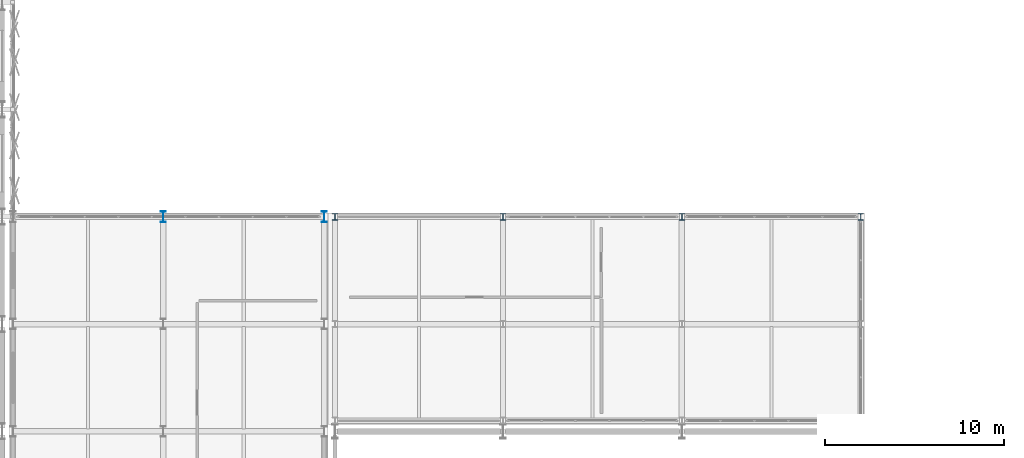
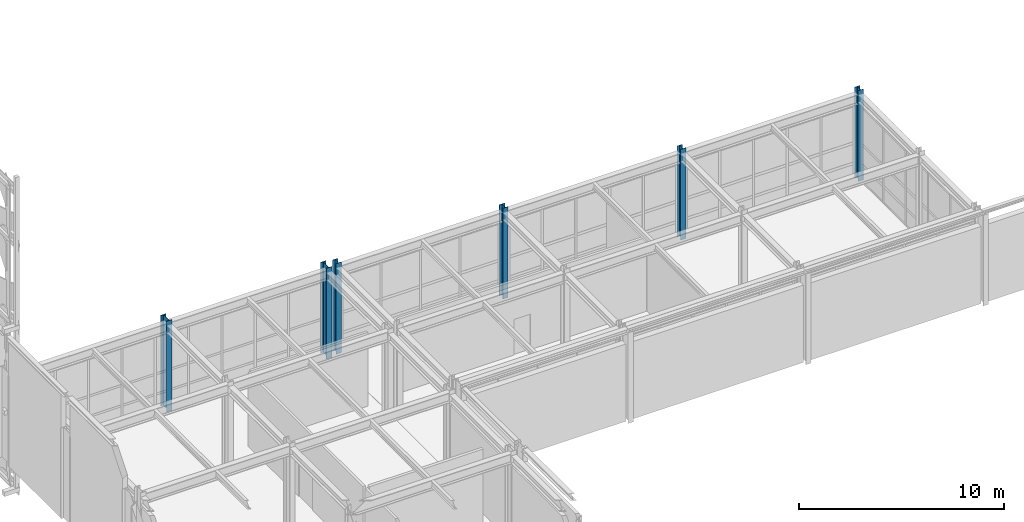
# One storey, part 19 of 210: 6 columns.
"""IFC4 building model written with IfcOpenShell, lengths in metres."""

import ifcopenshell
import ifcopenshell.guid

model = None  # the IFC model being written
_history = None  # IfcOwnerHistory: only IFC2X3 demands one
_inside = {}  # id of a spatial element -> (the spatial element, [elements in it])
_under = {}  # id of a project, library or spatial element -> (it, [spatial elements below it])
_declared = {}  # id of a project -> (the project, [libraries it declares])
_typed = {}  # id of a type object -> (the type object, [elements of that type])
_made_of = {}  # id of a material, layer set ... -> (it, [elements and type objects made of it])


def new_model(schema):
    """Start an empty IFC model of exactly this schema.

    Asked for "IFC4X3", IfcOpenShell would pick the latest addendum, in which some entities
    have other attributes; the version numbers below select the first issue.
    IFC2X3 requires an IfcOwnerHistory on every rooted entity: one is made here for all.
    """
    global model, _history
    if schema == "IFC4X3":
        model = ifcopenshell.file(schema_version=(4, 3, 0, 0))
    else:
        model = ifcopenshell.file(schema=schema)
    _inside.clear()
    _under.clear()
    _declared.clear()
    _typed.clear()
    _made_of.clear()
    _history = None
    if model.schema == "IFC2X3":
        org = make("IfcOrganization", Name="unknown")
        user = make(
            "IfcPersonAndOrganization",
            ThePerson=make("IfcPerson", FamilyName="unknown"),
            TheOrganization=org,
        )
        app = make(
            "IfcApplication",
            ApplicationDeveloper=org,
            Version="unknown",
            ApplicationFullName="unknown",
            ApplicationIdentifier="unknown",
        )
        _history = make(
            "IfcOwnerHistory",
            OwningUser=user,
            OwningApplication=app,
            ChangeAction="ADDED",
            CreationDate=0,
        )
    return model


def make(cls, **values):
    """One entity of the class cls with the attributes given. An attribute that is None is left unset."""
    return model.create_entity(
        cls, **{name: value for name, value in values.items() if value is not None}
    )


def rooted(cls, **values):
    """An entity with a GlobalId (a new one), such as an element, a storey or a relation."""
    return make(cls, GlobalId=ifcopenshell.guid.new(), OwnerHistory=_history, **values)


def si_unit(unit_type, name, prefix=None):
    """IfcSIUnit, for example si_unit("LENGTHUNIT", "METRE", prefix="MILLI")."""
    return make("IfcSIUnit", UnitType=unit_type, Prefix=prefix, Name=name)


def assignment(units):
    """IfcUnitAssignment: the units of a project."""
    return None if units is None else make("IfcUnitAssignment", Units=units)


def point(xyz):
    """IfcCartesianPoint."""
    return None if xyz is None else make("IfcCartesianPoint", Coordinates=xyz)


def direction(xyz):
    """IfcDirection."""
    return None if xyz is None else make("IfcDirection", DirectionRatios=xyz)


def frame(location, z_axis=None, x_axis=None):
    """IfcAxis2Placement3D, a coordinate frame: its origin and axes. An axis left out is left unset."""
    return make(
        "IfcAxis2Placement3D",
        Location=point(location),
        Axis=direction(z_axis),
        RefDirection=direction(x_axis),
    )


def frame_2d(location, x_axis=None):
    """IfcAxis2Placement2D, a coordinate frame in the plane: its origin and x axis."""
    return make(
        "IfcAxis2Placement2D", Location=point(location), RefDirection=direction(x_axis)
    )


def origin():
    """The frame at (0, 0, 0) with its axes left unset."""
    return frame((0.0, 0.0, 0.0))


def origin_2d():
    """The frame at (0, 0) in the plane with its x axis left unset."""
    return frame_2d((0.0, 0.0))


def place(relative_to, where):
    """IfcLocalPlacement: puts the frame where relative to a parent placement (None: the world)."""
    return make(
        "IfcLocalPlacement", PlacementRelTo=relative_to, RelativePlacement=where
    )


def context(
    kind, dimensions, precision=None, world=None, true_north=None, identifier=None
):
    """IfcGeometricRepresentationContext, for example the 3D "Model" context."""
    return make(
        "IfcGeometricRepresentationContext",
        ContextIdentifier=identifier,
        ContextType=kind,
        CoordinateSpaceDimension=dimensions,
        Precision=precision,
        WorldCoordinateSystem=world,
        TrueNorth=true_north,
    )


def subcontext(parent, identifier, kind, view, scale=None):
    """IfcGeometricRepresentationSubContext, for example "Body" below "Model"."""
    return make(
        "IfcGeometricRepresentationSubContext",
        ContextIdentifier=identifier,
        ContextType=kind,
        ParentContext=parent,
        TargetScale=scale,
        TargetView=view,
    )


def project(units=None, contexts=None):
    """IfcProject with its units and contexts."""
    return rooted(
        "IfcProject",
        Name="project",
        RepresentationContexts=contexts,
        UnitsInContext=assignment(units),
    )


def spatial(cls, under=None, at=None, **own):
    """A site, building, storey or space (cls), placed at a placement, below another one or the project."""
    s = rooted(cls, ObjectPlacement=at, **own)
    if under is not None:
        _under.setdefault(under.id(), (under, []))[1].append(s)
    return s


def profile(cls, at=None, kind="AREA", **sizes):
    """A parametric profile (cls). Its sizes go by their IFC names, for example OverallWidth=200.0."""
    return make(cls, ProfileType=kind, Position=at, **sizes)


def i_section(**sizes):
    """IfcIShapeProfileDef."""
    return profile("IfcIShapeProfileDef", **sizes)


def extrude(swept, where, along, depth):
    """IfcExtrudedAreaSolid: the profile swept, set in the frame where, extruded along a direction by depth."""
    return make(
        "IfcExtrudedAreaSolid",
        SweptArea=swept,
        Position=where,
        ExtrudedDirection=direction(along),
        Depth=depth,
    )


def shape(context_of_items, identifier, shape_type, items):
    """IfcShapeRepresentation: the items that make up one representation, for example the "Body"."""
    return make(
        "IfcShapeRepresentation",
        ContextOfItems=context_of_items,
        RepresentationIdentifier=identifier,
        RepresentationType=shape_type,
        Items=items,
    )


def material(Name=None, Category=None):
    """IfcMaterial."""
    return make("IfcMaterial", Name=Name, Category=Category)


def material_profile(
    of_material, cross_section, Name=None, Category=None, Priority=None
):
    """IfcMaterialProfile: a cross section and its material."""
    return make(
        "IfcMaterialProfile",
        Name=Name,
        Material=of_material,
        Profile=cross_section,
        Priority=Priority,
        Category=Category,
    )


def profile_set(profiles, Name=None, composite=None):
    """IfcMaterialProfileSet."""
    return make(
        "IfcMaterialProfileSet",
        Name=Name,
        MaterialProfiles=profiles,
        CompositeProfile=composite,
    )


def made_of(thing, what):
    """Note that an element or type object is made of a material, layer set ...; save() writes the relation."""
    if what is not None:
        _made_of.setdefault(what.id(), (what, []))[1].append(thing)
    return thing


def type_object(cls, material=None, **own):
    """A type object (cls), such as IfcWallType, which elements share."""
    return made_of(rooted(cls, **own), material)


def element(
    cls,
    number,
    at=None,
    inside=None,
    cuts=None,
    type_object=None,
    material=None,
    context=None,
    identifier="Body",
    shape_type=None,
    held_by="IfcProductDefinitionShape",
    body=None,
    shapes=None,
    **own,
):
    """One element of the class cls, such as IfcWall. Its Tag is "e" and its number.

    at: its placement. inside: the storey or other place that contains it. cuts: it is an
    opening in that element (IfcRelVoidsElement). A single representation is given by context,
    identifier, shape_type and body (its items); several are given by shapes. held_by: the class
    of the entity that holds the representations. save() writes the other relations.
    """
    e = rooted(cls, Tag="e%d" % number, ObjectPlacement=at, **own)
    if body is not None:
        shapes = [shape(context, identifier, shape_type, body)]
    if shapes is not None:
        e.Representation = make(held_by, Representations=shapes)
    if inside is not None:
        _inside.setdefault(inside.id(), (inside, []))[1].append(e)
    if cuts is not None:
        rooted(
            "IfcRelVoidsElement", RelatingBuildingElement=cuts, RelatedOpeningElement=e
        )
    if type_object is not None:
        _typed.setdefault(type_object.id(), (type_object, []))[1].append(e)
    return made_of(e, material)


def aggregate(whole, parts):
    """IfcRelAggregates: a whole, such as a stair, and the parts it consists of."""
    return rooted("IfcRelAggregates", RelatingObject=whole, RelatedObjects=parts)


def save(model, path):
    """Write the relations noted so far, then the file.

    IfcRelAggregates (storeys below a building ...), IfcRelContainedInSpatialStructure (elements
    in a storey), IfcRelDefinesByType, IfcRelAssociatesMaterial and IfcRelDeclares: one each for
    every whole, place, type object, material and project.
    """
    for whole, parts in _under.values():
        aggregate(whole, parts)
    for where, things in _inside.values():
        rooted(
            "IfcRelContainedInSpatialStructure",
            RelatedElements=things,
            RelatingStructure=where,
        )
    for kind, things in _typed.values():
        rooted("IfcRelDefinesByType", RelatedObjects=things, RelatingType=kind)
    for what, things in _made_of.values():
        rooted("IfcRelAssociatesMaterial", RelatedObjects=things, RelatingMaterial=what)
    for by, libraries in _declared.values():
        rooted("IfcRelDeclares", RelatingContext=by, RelatedDefinitions=libraries)
    model.write(path)


model = new_model("IFC4")

# Units and contexts
model_context = context("Model", 3, precision=1e-05, world=origin(), true_north=direction((0.0, 1.0)))
body_context = subcontext(model_context, "Body", "Model", "MODEL_VIEW")
ifc_project = project(units=[si_unit("LENGTHUNIT", "METRE"), si_unit("AREAUNIT", "SQUARE_METRE"), si_unit("VOLUMEUNIT", "CUBIC_METRE"), si_unit("PLANEANGLEUNIT", "RADIAN"), si_unit("MASSUNIT", "GRAM", prefix="KILO")], contexts=[model_context])

# Site, building, storey
site_placement = place(None, origin())
site = spatial("IfcSite", under=ifc_project, at=site_placement, CompositionType="ELEMENT")
building_placement = place(site_placement, origin())
building = spatial("IfcBuilding", under=site, at=building_placement, Name="Kaldris Quays Convention Centre", CompositionType="ELEMENT")
storey_placement = place(building_placement, frame((0.0, 0.0, 6.0)))
storey = spatial("IfcBuildingStorey", under=building, at=storey_placement, Name="L01", CompositionType="ELEMENT", Elevation=6.0)

# Columns
ifc_material = material(Name="Steel S355J2", Category="steel")
ifc_material_profile_1 = material_profile(ifc_material, i_section(OverallWidth=0.300048828125, OverallDepth=0.60009765625, WebThickness=0.015380859375, FlangeThickness=0.030029296875, FilletRadius=0.027099609375, at=origin_2d()), Name="HEB 600")
ifc_profile_set_1 = profile_set([ifc_material_profile_1], Name="Steel S355J2")
column_type_1 = type_object("IfcColumnType", Name="STRUCTURAL COLUMN CL06", PredefinedType="COLUMN", material=ifc_profile_set_1)
for number, where, z_axis, x_axis, name in (
    (1, (155.0, 116.0, 0.0), (0.0, 0.0, 1.0), (1.0, 0.0, 0.0), "L01 V4 Column CL06 (155.00, 116.00)"),
    (2, (164.0, 116.0, 0.0), (0.0, 0.0, 1.0), (1.0, 0.0, 0.0), "L01 V4 Column CL06 (164.00, 116.00)"),
):
    element("IfcColumn", number, at=place(storey_placement, frame(where, z_axis=z_axis, x_axis=x_axis)), inside=storey, type_object=column_type_1, Name=name, PredefinedType="COLUMN", context=body_context, shape_type="SweptSolid", body=[
        extrude(i_section(OverallWidth=0.300048828125, OverallDepth=0.60009765625, WebThickness=0.015380859375, FlangeThickness=0.030029296875, FilletRadius=0.027099609375, at=origin_2d()), origin(), (0.0, 0.0, 1.0), 5.39990234375),
    ])
ifc_material_profile_2 = material_profile(ifc_material, i_section(OverallWidth=0.300048828125, OverallDepth=0.360107421875, WebThickness=0.012451171875, FlangeThickness=0.0224609375, FilletRadius=0.027099609375, at=origin_2d()), Name="HEB 360")
ifc_profile_set_2 = profile_set([ifc_material_profile_2], Name="Steel S355J2")
column_type_2 = type_object("IfcColumnType", Name="STRUCTURAL COLUMN CL10", PredefinedType="COLUMN", material=ifc_profile_set_2)
for number, where, z_axis, x_axis, name in (
    (3, (164.60009765625, 116.0, 0.0), (0.0, 0.0, 1.0), (1.0, 0.0, 0.0), "L01 V4 Column CL10 (164.60, 116.00)"),
    (4, (174.0, 116.0, 0.0), (0.0, 0.0, 1.0), (1.0, 0.0, 0.0), "L01 V4 Column CL10 (174.00, 116.00)"),
    (5, (184.0, 116.0, 0.0), (0.0, 0.0, 1.0), (1.0, 0.0, 0.0), "L01 V4 Column CL10 (184.00, 116.00)"),
    (6, (194.0, 116.0, 0.0), (0.0, 0.0, 1.0), (1.0, 0.0, 0.0), "L01 V4 Column CL10 (194.00, 116.00)"),
):
    element("IfcColumn", number, at=place(storey_placement, frame(where, z_axis=z_axis, x_axis=x_axis)), inside=storey, type_object=column_type_2, Name=name, PredefinedType="COLUMN", context=body_context, shape_type="SweptSolid", body=[
        extrude(i_section(OverallWidth=0.300048828125, OverallDepth=0.360107421875, WebThickness=0.012451171875, FlangeThickness=0.0224609375, FilletRadius=0.027099609375, at=origin_2d()), origin(), (0.0, 0.0, 1.0), 5.39990234375),
    ])

save(model, "model.ifc")
